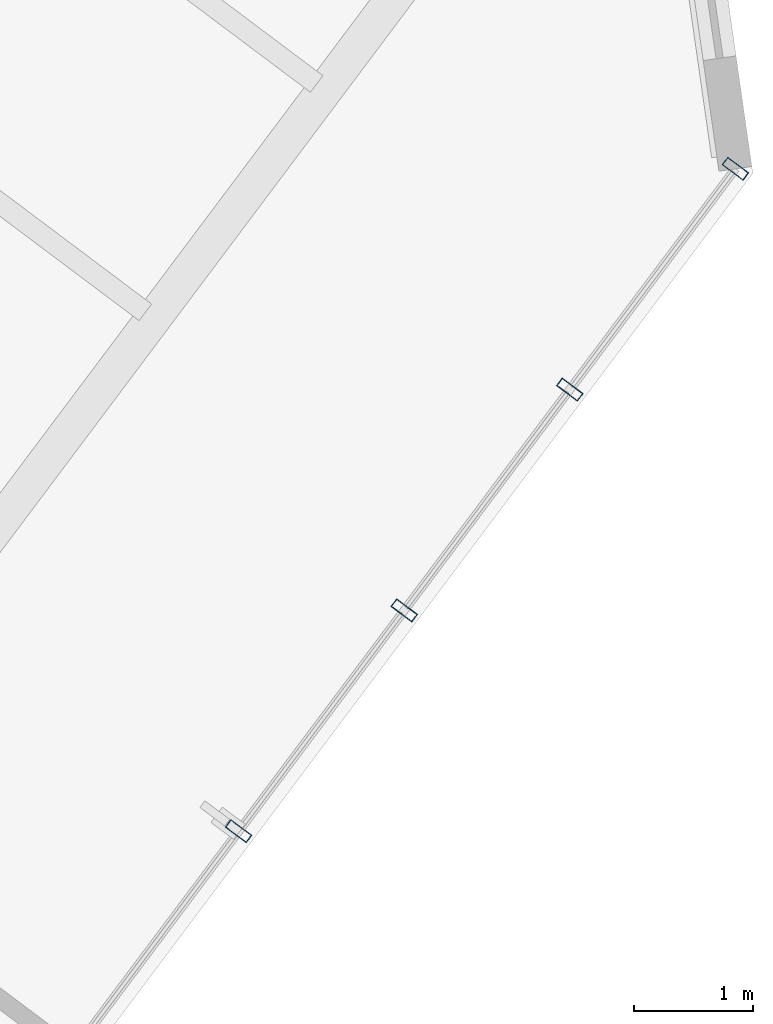
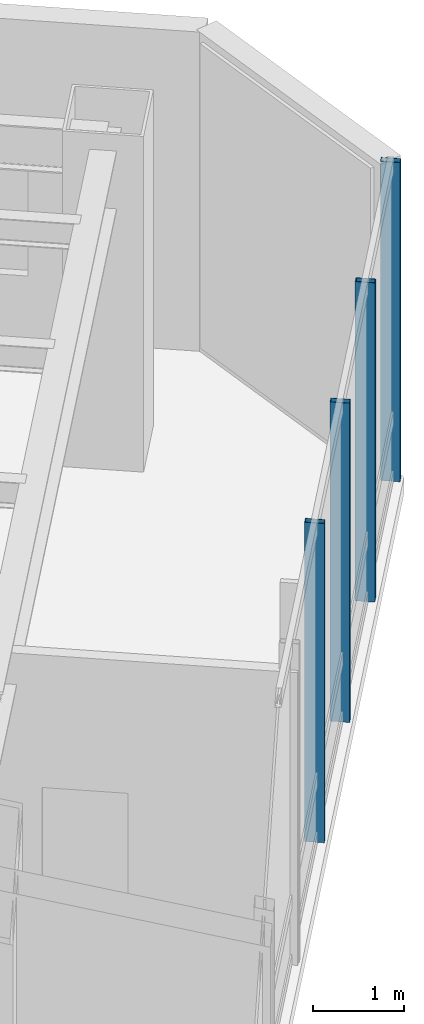
# One storey, part 13 of 27: 4 members, 1 element without a shape of its own.
"""IFC4 building model written with IfcOpenShell, lengths in metres."""

import ifcopenshell
import ifcopenshell.guid

model = None  # the IFC model being written
_history = None  # IfcOwnerHistory: only IFC2X3 demands one
_inside = {}  # id of a spatial element -> (the spatial element, [elements in it])
_under = {}  # id of a project, library or spatial element -> (it, [spatial elements below it])
_declared = {}  # id of a project -> (the project, [libraries it declares])
_typed = {}  # id of a type object -> (the type object, [elements of that type])
_made_of = {}  # id of a material, layer set ... -> (it, [elements and type objects made of it])


def new_model(schema):
    """Start an empty IFC model of exactly this schema.

    Asked for "IFC4X3", IfcOpenShell would pick the latest addendum, in which some entities
    have other attributes; the version numbers below select the first issue.
    IFC2X3 requires an IfcOwnerHistory on every rooted entity: one is made here for all.
    """
    global model, _history
    if schema == "IFC4X3":
        model = ifcopenshell.file(schema_version=(4, 3, 0, 0))
    else:
        model = ifcopenshell.file(schema=schema)
    _inside.clear()
    _under.clear()
    _declared.clear()
    _typed.clear()
    _made_of.clear()
    _history = None
    if model.schema == "IFC2X3":
        org = make("IfcOrganization", Name="unknown")
        user = make(
            "IfcPersonAndOrganization",
            ThePerson=make("IfcPerson", FamilyName="unknown"),
            TheOrganization=org,
        )
        app = make(
            "IfcApplication",
            ApplicationDeveloper=org,
            Version="unknown",
            ApplicationFullName="unknown",
            ApplicationIdentifier="unknown",
        )
        _history = make(
            "IfcOwnerHistory",
            OwningUser=user,
            OwningApplication=app,
            ChangeAction="ADDED",
            CreationDate=0,
        )
    return model


def make(cls, **values):
    """One entity of the class cls with the attributes given. An attribute that is None is left unset."""
    return model.create_entity(
        cls, **{name: value for name, value in values.items() if value is not None}
    )


def rooted(cls, **values):
    """An entity with a GlobalId (a new one), such as an element, a storey or a relation."""
    return make(cls, GlobalId=ifcopenshell.guid.new(), OwnerHistory=_history, **values)


def si_unit(unit_type, name, prefix=None):
    """IfcSIUnit, for example si_unit("LENGTHUNIT", "METRE", prefix="MILLI")."""
    return make("IfcSIUnit", UnitType=unit_type, Prefix=prefix, Name=name)


def assignment(units):
    """IfcUnitAssignment: the units of a project."""
    return None if units is None else make("IfcUnitAssignment", Units=units)


def point(xyz):
    """IfcCartesianPoint."""
    return None if xyz is None else make("IfcCartesianPoint", Coordinates=xyz)


def direction(xyz):
    """IfcDirection."""
    return None if xyz is None else make("IfcDirection", DirectionRatios=xyz)


def frame(location, z_axis=None, x_axis=None):
    """IfcAxis2Placement3D, a coordinate frame: its origin and axes. An axis left out is left unset."""
    return make(
        "IfcAxis2Placement3D",
        Location=point(location),
        Axis=direction(z_axis),
        RefDirection=direction(x_axis),
    )


def frame_2d(location, x_axis=None):
    """IfcAxis2Placement2D, a coordinate frame in the plane: its origin and x axis."""
    return make(
        "IfcAxis2Placement2D", Location=point(location), RefDirection=direction(x_axis)
    )


def origin():
    """The frame at (0, 0, 0) with its axes left unset."""
    return frame((0.0, 0.0, 0.0))


def origin_2d():
    """The frame at (0, 0) in the plane with its x axis left unset."""
    return frame_2d((0.0, 0.0))


def place(relative_to, where):
    """IfcLocalPlacement: puts the frame where relative to a parent placement (None: the world)."""
    return make(
        "IfcLocalPlacement", PlacementRelTo=relative_to, RelativePlacement=where
    )


def context(
    kind, dimensions, precision=None, world=None, true_north=None, identifier=None
):
    """IfcGeometricRepresentationContext, for example the 3D "Model" context."""
    return make(
        "IfcGeometricRepresentationContext",
        ContextIdentifier=identifier,
        ContextType=kind,
        CoordinateSpaceDimension=dimensions,
        Precision=precision,
        WorldCoordinateSystem=world,
        TrueNorth=true_north,
    )


def subcontext(parent, identifier, kind, view, scale=None):
    """IfcGeometricRepresentationSubContext, for example "Body" below "Model"."""
    return make(
        "IfcGeometricRepresentationSubContext",
        ContextIdentifier=identifier,
        ContextType=kind,
        ParentContext=parent,
        TargetScale=scale,
        TargetView=view,
    )


def project(units=None, contexts=None):
    """IfcProject with its units and contexts."""
    return rooted(
        "IfcProject",
        Name="project",
        RepresentationContexts=contexts,
        UnitsInContext=assignment(units),
    )


def spatial(cls, under=None, at=None, **own):
    """A site, building, storey or space (cls), placed at a placement, below another one or the project."""
    s = rooted(cls, ObjectPlacement=at, **own)
    if under is not None:
        _under.setdefault(under.id(), (under, []))[1].append(s)
    return s


def profile(cls, at=None, kind="AREA", **sizes):
    """A parametric profile (cls). Its sizes go by their IFC names, for example OverallWidth=200.0."""
    return make(cls, ProfileType=kind, Position=at, **sizes)


def hollow_rectangle(**sizes):
    """IfcRectangleHollowProfileDef."""
    return profile("IfcRectangleHollowProfileDef", **sizes)


def extrude(swept, where, along, depth):
    """IfcExtrudedAreaSolid: the profile swept, set in the frame where, extruded along a direction by depth."""
    return make(
        "IfcExtrudedAreaSolid",
        SweptArea=swept,
        Position=where,
        ExtrudedDirection=direction(along),
        Depth=depth,
    )


def shape(context_of_items, identifier, shape_type, items):
    """IfcShapeRepresentation: the items that make up one representation, for example the "Body"."""
    return make(
        "IfcShapeRepresentation",
        ContextOfItems=context_of_items,
        RepresentationIdentifier=identifier,
        RepresentationType=shape_type,
        Items=items,
    )


def material(Name=None, Category=None):
    """IfcMaterial."""
    return make("IfcMaterial", Name=Name, Category=Category)


def layer(
    of_material, thickness, ventilated=None, Name=None, Category=None, Priority=None
):
    """IfcMaterialLayer: one layer of a wall or slab, of a material (None: an air gap)."""
    return make(
        "IfcMaterialLayer",
        Material=of_material,
        LayerThickness=thickness,
        IsVentilated=ventilated,
        Name=Name,
        Category=Category,
        Priority=Priority,
    )


def layer_set(layers, Name=None):
    """IfcMaterialLayerSet."""
    return make("IfcMaterialLayerSet", MaterialLayers=layers, LayerSetName=Name)


def material_profile(
    of_material, cross_section, Name=None, Category=None, Priority=None
):
    """IfcMaterialProfile: a cross section and its material."""
    return make(
        "IfcMaterialProfile",
        Name=Name,
        Material=of_material,
        Profile=cross_section,
        Priority=Priority,
        Category=Category,
    )


def profile_set(profiles, Name=None, composite=None):
    """IfcMaterialProfileSet."""
    return make(
        "IfcMaterialProfileSet",
        Name=Name,
        MaterialProfiles=profiles,
        CompositeProfile=composite,
    )


def made_of(thing, what):
    """Note that an element or type object is made of a material, layer set ...; save() writes the relation."""
    if what is not None:
        _made_of.setdefault(what.id(), (what, []))[1].append(thing)
    return thing


def type_object(cls, material=None, **own):
    """A type object (cls), such as IfcWallType, which elements share."""
    return made_of(rooted(cls, **own), material)


def element(
    cls,
    number,
    at=None,
    inside=None,
    cuts=None,
    type_object=None,
    material=None,
    context=None,
    identifier="Body",
    shape_type=None,
    held_by="IfcProductDefinitionShape",
    body=None,
    shapes=None,
    **own,
):
    """One element of the class cls, such as IfcWall. Its Tag is "e" and its number.

    at: its placement. inside: the storey or other place that contains it. cuts: it is an
    opening in that element (IfcRelVoidsElement). A single representation is given by context,
    identifier, shape_type and body (its items); several are given by shapes. held_by: the class
    of the entity that holds the representations. save() writes the other relations.
    """
    e = rooted(cls, Tag="e%d" % number, ObjectPlacement=at, **own)
    if body is not None:
        shapes = [shape(context, identifier, shape_type, body)]
    if shapes is not None:
        e.Representation = make(held_by, Representations=shapes)
    if inside is not None:
        _inside.setdefault(inside.id(), (inside, []))[1].append(e)
    if cuts is not None:
        rooted(
            "IfcRelVoidsElement", RelatingBuildingElement=cuts, RelatedOpeningElement=e
        )
    if type_object is not None:
        _typed.setdefault(type_object.id(), (type_object, []))[1].append(e)
    return made_of(e, material)


def aggregate(whole, parts):
    """IfcRelAggregates: a whole, such as a stair, and the parts it consists of."""
    return rooted("IfcRelAggregates", RelatingObject=whole, RelatedObjects=parts)


def save(model, path):
    """Write the relations noted so far, then the file.

    IfcRelAggregates (storeys below a building ...), IfcRelContainedInSpatialStructure (elements
    in a storey), IfcRelDefinesByType, IfcRelAssociatesMaterial and IfcRelDeclares: one each for
    every whole, place, type object, material and project.
    """
    for whole, parts in _under.values():
        aggregate(whole, parts)
    for where, things in _inside.values():
        rooted(
            "IfcRelContainedInSpatialStructure",
            RelatedElements=things,
            RelatingStructure=where,
        )
    for kind, things in _typed.values():
        rooted("IfcRelDefinesByType", RelatedObjects=things, RelatingType=kind)
    for what, things in _made_of.values():
        rooted("IfcRelAssociatesMaterial", RelatedObjects=things, RelatingMaterial=what)
    for by, libraries in _declared.values():
        rooted("IfcRelDeclares", RelatingContext=by, RelatedDefinitions=libraries)
    model.write(path)


model = new_model("IFC4")

# Units and contexts
model_context = context("Model", 3, precision=1e-05, world=origin(), true_north=direction((0.0, 1.0)))
body_context = subcontext(model_context, "Body", "Model", "MODEL_VIEW")
ifc_project = project(units=[si_unit("LENGTHUNIT", "METRE"), si_unit("AREAUNIT", "SQUARE_METRE"), si_unit("VOLUMEUNIT", "CUBIC_METRE"), si_unit("PLANEANGLEUNIT", "RADIAN"), si_unit("MASSUNIT", "GRAM", prefix="KILO")], contexts=[model_context])

# Site, building, storey
site_placement = place(None, origin())
site = spatial("IfcSite", under=ifc_project, at=site_placement, CompositionType="ELEMENT")
building_placement = place(site_placement, origin())
building = spatial("IfcBuilding", under=site, at=building_placement, Name="Hatsunagi Terrace Concourse", CompositionType="ELEMENT")
storey_placement = place(building_placement, frame((0.0, 0.0, 70.10009765625)))
storey = spatial("IfcBuildingStorey", under=building, at=storey_placement, Name="L18", CompositionType="ELEMENT", Elevation=70.10009765625)

# Curtain wall, members
ifc_material_1 = material(Name="Anodised Aluminium Alloy 6063-T5", Category="aluminium")
ifc_layer = layer(ifc_material_1, 0.199951171875)
ifc_layer_set = layer_set([ifc_layer], Name="SkyLobbyAtrium_CW05")
curtain_wall_type = type_object("IfcCurtainWallType", Name="SkyLobbyAtrium_CW05", PredefinedType="NOTDEFINED", material=ifc_layer_set)
curtain_wall_placement = place(storey_placement, origin())
curtain_wall = element("IfcCurtainWall", 1, at=curtain_wall_placement, inside=storey, type_object=curtain_wall_type, Name="Unitised Curtain Wall CW-05 CW-L18-03", PredefinedType="NOTDEFINED")
ifc_material_2 = material(Name="Anodised Aluminium Alloy 6063-T5", Category="aluminium")
ifc_material_profile = material_profile(ifc_material_2, hollow_rectangle(XDim=0.080078125, YDim=0.219970703125, WallThickness=0.0048828125, at=origin_2d()), Name="ALU-MUL-220x80x5")
ifc_profile_set = profile_set([ifc_material_profile], Name="Anodised Aluminium Alloy 6063-T5")
member_type = type_object("IfcMemberType", Name="CurtainWallMullion_Heavy_220x80", PredefinedType="MULLION", material=ifc_profile_set)
member_1_placement = place(storey_placement, frame((69.093017578125, 19.657958984375, 0.0), z_axis=(0.0, 0.0, 1.0), x_axis=(-0.599969314634, -0.800023013105, 0.0)))
member_1 = element("IfcMember", 2, at=member_1_placement, type_object=member_type, Name="Curtain Wall Mullion MUL-01", PredefinedType="MULLION", context=body_context, shape_type="SweptSolid", body=[
    extrude(hollow_rectangle(XDim=0.080078125, YDim=0.219970703125, WallThickness=0.0048828125, at=origin_2d()), origin(), (0.0, 0.0, 1.0), 4.27978515625),
])
member_2_placement = place(storey_placement, frame((67.700927734375, 17.802001953125, 0.0), z_axis=(0.0, 0.0, 1.0), x_axis=(-0.599969314634, -0.800023013105, 0.0)))
member_2 = element("IfcMember", 3, at=member_2_placement, type_object=member_type, Name="Curtain Wall Mullion MUL-01", PredefinedType="MULLION", context=body_context, shape_type="SweptSolid", body=[
    extrude(hollow_rectangle(XDim=0.080078125, YDim=0.219970703125, WallThickness=0.0048828125, at=origin_2d()), origin(), (0.0, 0.0, 1.0), 4.27978515625),
])
member_3_placement = place(storey_placement, frame((66.30908203125, 15.945068359375, 0.0), z_axis=(0.0, 0.0, 1.0), x_axis=(-0.599969314634, -0.800023013105, 0.0)))
member_3 = element("IfcMember", 4, at=member_3_placement, type_object=member_type, Name="Curtain Wall Mullion MUL-01", PredefinedType="MULLION", context=body_context, shape_type="SweptSolid", body=[
    extrude(hollow_rectangle(XDim=0.080078125, YDim=0.219970703125, WallThickness=0.0048828125, at=origin_2d()), origin(), (0.0, 0.0, 1.0), 4.27978515625),
])
member_4_placement = place(storey_placement, frame((64.916015625, 14.089111328125, 0.0), z_axis=(0.0, 0.0, 1.0), x_axis=(-0.599969314634, -0.800023013105, 0.0)))
member_4 = element("IfcMember", 5, at=member_4_placement, type_object=member_type, Name="Curtain Wall Mullion MUL-01", PredefinedType="MULLION", context=body_context, shape_type="SweptSolid", body=[
    extrude(hollow_rectangle(XDim=0.080078125, YDim=0.219970703125, WallThickness=0.0048828125, at=origin_2d()), origin(), (0.0, 0.0, 1.0), 4.27978515625),
])
aggregate(curtain_wall, [member_1, member_2, member_3, member_4])

save(model, "model.ifc")
